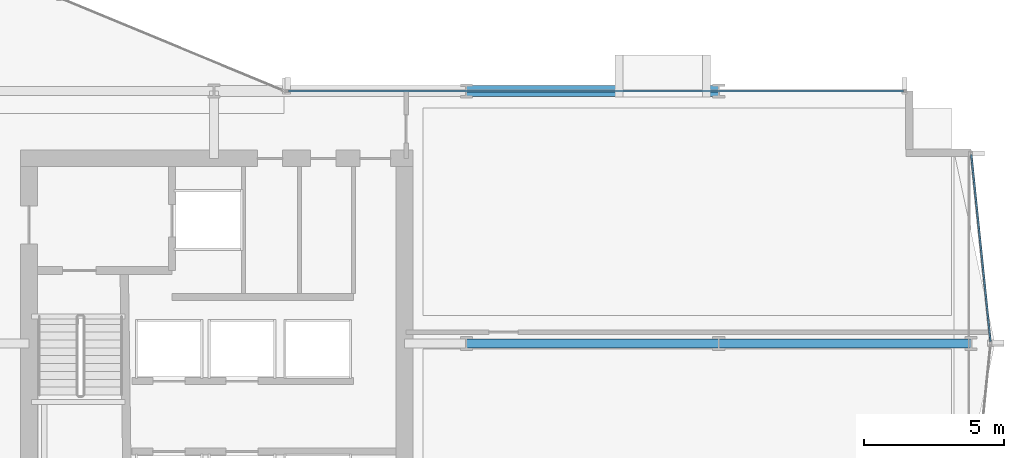
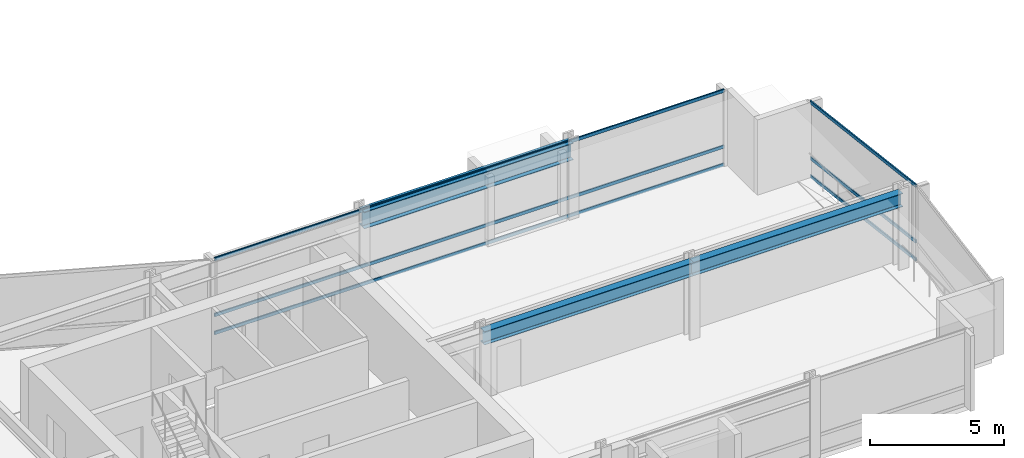
# One storey, part 16 of 34: 6 members, 3 beams, 2 elements without a shape of their own.
"""IFC4 building model written with IfcOpenShell, lengths in metres."""

from ifc_helpers import new_model, si_unit, direction, frame, origin, origin_2d, place, context, subcontext, project, spatial, hollow_rectangle, i_section, extrude, material, layer, layer_set, material_profile, profile_set, type_object, element, aggregate, save


model = new_model("IFC4")

# Units and contexts
model_context = context("Model", 3, precision=1e-05, world=origin(), true_north=direction((0.0, 1.0)))
body_context = subcontext(model_context, "Body", "Model", "MODEL_VIEW")
ifc_project = project(units=[si_unit("LENGTHUNIT", "METRE"), si_unit("AREAUNIT", "SQUARE_METRE"), si_unit("VOLUMEUNIT", "CUBIC_METRE"), si_unit("PLANEANGLEUNIT", "RADIAN"), si_unit("MASSUNIT", "GRAM", prefix="KILO")], contexts=[model_context])

# Site, building, storey
site_placement = place(None, origin())
site = spatial("IfcSite", under=ifc_project, at=site_placement, CompositionType="ELEMENT")
building_placement = place(site_placement, origin())
building = spatial("IfcBuilding", under=site, at=building_placement, Name="Solvaryn Broadcast Tower", CompositionType="ELEMENT")
storey_placement = place(building_placement, frame((0.0, 0.0, 61.89990234375)))
storey = spatial("IfcBuildingStorey", under=building, at=storey_placement, Name="L14", CompositionType="ELEMENT", Elevation=61.89990234375)

# Beams
ifc_material_1 = material(Name="Steel ASTM A992 Grade 50", Category="steel")
ifc_material_profile_1 = material_profile(ifc_material_1, i_section(OverallWidth=0.323974609375, OverallDepth=0.611083984375, WebThickness=0.0126953125, FlangeThickness=0.01904296875, FilletRadius=0.014892578125, at=origin_2d()))
ifc_profile_set_1 = profile_set([ifc_material_profile_1], Name="Steel ASTM A992 Grade 50")
beam_type_1 = type_object("IfcBeamType", Name="BM-B1-W24X104", PredefinedType="BEAM", material=ifc_profile_set_1)
for number, where, z_axis, x_axis, name in (
    (1, (45.0, 18.0, 3.114501953125), (1.0, 0.0, 0.0), (0.0, 1.0, 0.0), "L14 Primary Beam X (45-54 @ Y=18)"),
    (2, (54.0, 18.0, 3.114501953125), (1.0, 0.0, 0.0), (0.0, 1.0, 0.0), "L14 Primary Beam X (54-63 @ Y=18)"),
):
    element("IfcBeam", number, at=place(storey_placement, frame(where, z_axis=z_axis, x_axis=x_axis)), inside=storey, type_object=beam_type_1, Name=name, PredefinedType="BEAM", context=body_context, shape_type="SweptSolid", body=[
        extrude(i_section(OverallWidth=0.323974609375, OverallDepth=0.611083984375, WebThickness=0.0126953125, FlangeThickness=0.01904296875, FilletRadius=0.014892578125, at=origin_2d()), origin(), (0.0, 0.0, 1.0), 9.0),
    ])
ifc_material_2 = material(Name="Steel ASTM A992 Grade 50", Category="steel")
ifc_material_profile_2 = material_profile(ifc_material_2, i_section(OverallWidth=0.381103515625, OverallDepth=0.77294921875, WebThickness=0.0166015625, FlangeThickness=0.027099609375, FilletRadius=0.01806640625, at=origin_2d()))
ifc_profile_set_2 = profile_set([ifc_material_profile_2], Name="Steel ASTM A992 Grade 50")
beam_type_2 = type_object("IfcBeamType", Name="BM-SP1-W30X173", PredefinedType="USERDEFINED", material=ifc_profile_set_2)
beam_placement = place(storey_placement, frame((45.0, 27.0, 3.03369140625), z_axis=(1.0, 0.0, 0.0), x_axis=(0.0, 1.0, 0.0)))
element("IfcBeam", 3, at=beam_placement, inside=storey, type_object=beam_type_2, Name="L14 Spandrel Beam X (45-54 @ Y=27)", ObjectType="SPANDREL", PredefinedType="USERDEFINED", context=body_context, shape_type="SweptSolid", body=[
    extrude(i_section(OverallWidth=0.381103515625, OverallDepth=0.77294921875, WebThickness=0.0166015625, FlangeThickness=0.027099609375, FilletRadius=0.01806640625, at=origin_2d()), origin(), (0.0, 0.0, 1.0), 9.0),
])

# Curtain wall, members
ifc_material_3 = material(Name="Aluminium and Terracotta Unitised Curtain Wall", Category="masonry")
ifc_layer = layer(ifc_material_3, 0.199951171875)
ifc_layer_set = layer_set([ifc_layer], Name="CW-SYS2-LOWMID")
curtain_wall_type = type_object("IfcCurtainWallType", Name="CW-SYS2-LOWMID", PredefinedType="NOTDEFINED", material=ifc_layer_set)
curtain_wall_1_placement = place(storey_placement, origin())
curtain_wall_1 = element("IfcCurtainWall", 4, at=curtain_wall_1_placement, inside=storey, type_object=curtain_wall_type, Name="L14 Curtain Wall ET1", PredefinedType="NOTDEFINED")
ifc_material_4 = material(Name="Anodised Aluminium 6063-T6", Category="aluminium")
ifc_material_profile_3 = material_profile(ifc_material_4, hollow_rectangle(XDim=0.06494140625, YDim=0.14990234375, WallThickness=0.00390625, InnerFilletRadius=0.00390625, OuterFilletRadius=0.008056640625, at=origin_2d()))
ifc_profile_set_3 = profile_set([ifc_material_profile_3], Name="Anodised Aluminium 6063-T6")
member_type = type_object("IfcMemberType", Name="CW-TRN-150", PredefinedType="USERDEFINED", material=ifc_profile_set_3)
member_1_placement = place(storey_placement, frame((63.006103515625, 24.740234375, 0.030029296875), z_axis=(0.102404277363, -0.994742863245, 0.0), x_axis=(0.994742863245, 0.102404277363, 0.0)))
member_1 = element("IfcMember", 5, at=member_1_placement, type_object=member_type, Name="CWS2 transom 1.1", ObjectType="TRANSOM", PredefinedType="USERDEFINED", context=body_context, shape_type="SweptSolid", body=[
    extrude(hollow_rectangle(XDim=0.06494140625, YDim=0.14990234375, WallThickness=0.00390625, InnerFilletRadius=0.00390625, OuterFilletRadius=0.008056640625, at=origin_2d()), origin(), (0.0, 0.0, 1.0), 6.716064453125),
])
member_2_placement = place(storey_placement, frame((63.006103515625, 24.740234375, 0.85009765625), z_axis=(0.102404277363, -0.994742863245, 0.0), x_axis=(0.994742863245, 0.102404277363, 0.0)))
member_2 = element("IfcMember", 6, at=member_2_placement, type_object=member_type, Name="CWS2 transom 1.2", ObjectType="TRANSOM", PredefinedType="USERDEFINED", context=body_context, shape_type="SweptSolid", body=[
    extrude(hollow_rectangle(XDim=0.06494140625, YDim=0.14990234375, WallThickness=0.00390625, InnerFilletRadius=0.00390625, OuterFilletRadius=0.008056640625, at=origin_2d()), origin(), (0.0, 0.0, 1.0), 6.716064453125),
])
member_3_placement = place(storey_placement, frame((63.006103515625, 24.740234375, 3.39013671875), z_axis=(0.102404277363, -0.994742863245, 0.0), x_axis=(0.994742863245, 0.102404277363, 0.0)))
member_3 = element("IfcMember", 7, at=member_3_placement, type_object=member_type, Name="CWS2 transom 1.3", ObjectType="TRANSOM", PredefinedType="USERDEFINED", context=body_context, shape_type="SweptSolid", body=[
    extrude(hollow_rectangle(XDim=0.06494140625, YDim=0.14990234375, WallThickness=0.00390625, InnerFilletRadius=0.00390625, OuterFilletRadius=0.008056640625, at=origin_2d()), origin(), (0.0, 0.0, 1.0), 6.716064453125),
])
aggregate(curtain_wall_1, [member_1, member_2, member_3])

curtain_wall_2_placement = place(storey_placement, origin())
curtain_wall_2 = element("IfcCurtainWall", 8, at=curtain_wall_2_placement, inside=storey, type_object=curtain_wall_type, Name="L14 Curtain Wall IH", PredefinedType="NOTDEFINED")
member_4_placement = place(storey_placement, frame((38.659912109375, 27.0, 0.030029296875), z_axis=(1.0, 0.0, 0.0), x_axis=(0.0, 1.0, 0.0)))
member_4 = element("IfcMember", 9, at=member_4_placement, type_object=member_type, Name="CWS2 transom 1.1", ObjectType="TRANSOM", PredefinedType="USERDEFINED", context=body_context, shape_type="SweptSolid", body=[
    extrude(hollow_rectangle(XDim=0.06494140625, YDim=0.14990234375, WallThickness=0.00390625, InnerFilletRadius=0.00390625, OuterFilletRadius=0.008056640625, at=origin_2d()), origin(), (0.0, 0.0, 1.0), 21.93017578125),
])
member_5_placement = place(storey_placement, frame((38.659912109375, 27.0, 0.85009765625), z_axis=(1.0, 0.0, 0.0), x_axis=(0.0, 1.0, 0.0)))
member_5 = element("IfcMember", 10, at=member_5_placement, type_object=member_type, Name="CWS2 transom 1.2", ObjectType="TRANSOM", PredefinedType="USERDEFINED", context=body_context, shape_type="SweptSolid", body=[
    extrude(hollow_rectangle(XDim=0.06494140625, YDim=0.14990234375, WallThickness=0.00390625, InnerFilletRadius=0.00390625, OuterFilletRadius=0.008056640625, at=origin_2d()), origin(), (0.0, 0.0, 1.0), 21.93017578125),
])
member_6_placement = place(storey_placement, frame((38.659912109375, 27.0, 3.39013671875), z_axis=(1.0, 0.0, 0.0), x_axis=(0.0, 1.0, 0.0)))
member_6 = element("IfcMember", 11, at=member_6_placement, type_object=member_type, Name="CWS2 transom 1.3", ObjectType="TRANSOM", PredefinedType="USERDEFINED", context=body_context, shape_type="SweptSolid", body=[
    extrude(hollow_rectangle(XDim=0.06494140625, YDim=0.14990234375, WallThickness=0.00390625, InnerFilletRadius=0.00390625, OuterFilletRadius=0.008056640625, at=origin_2d()), origin(), (0.0, 0.0, 1.0), 21.93017578125),
])
aggregate(curtain_wall_2, [member_4, member_5, member_6])

save(model, "model.ifc")
